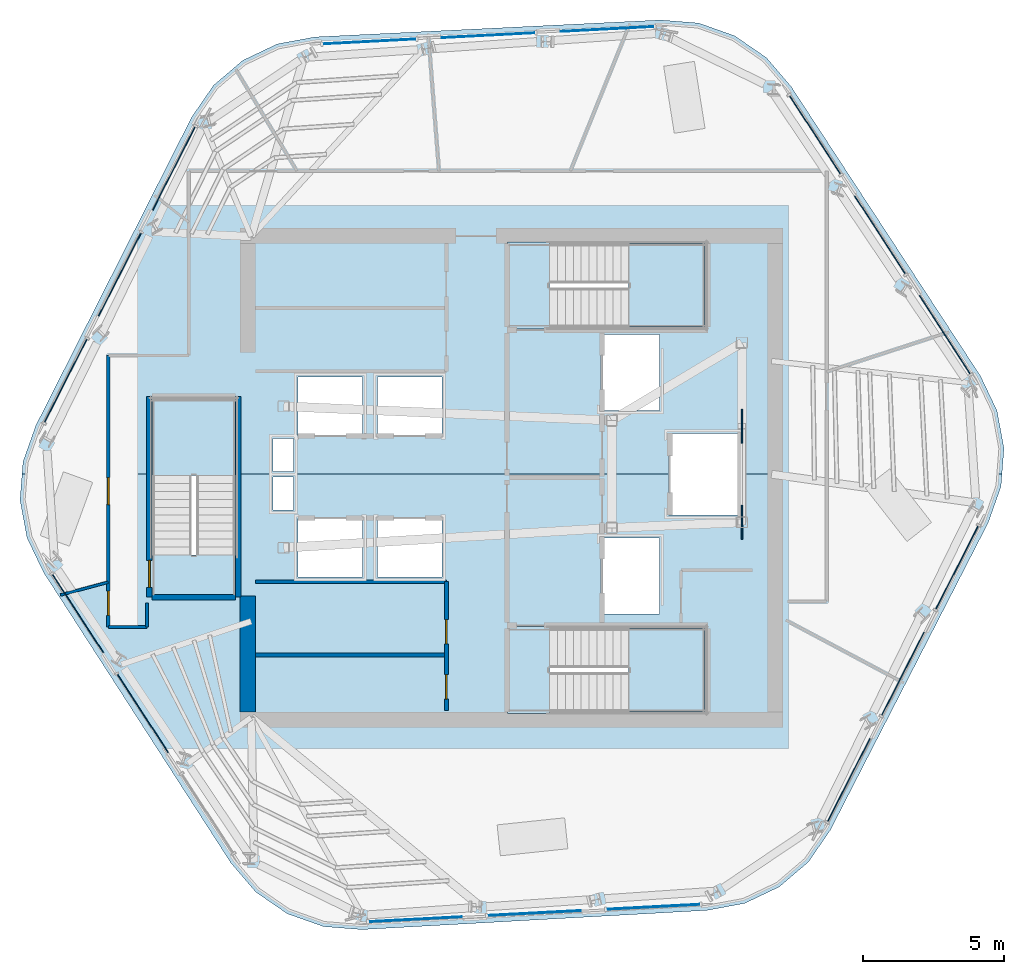
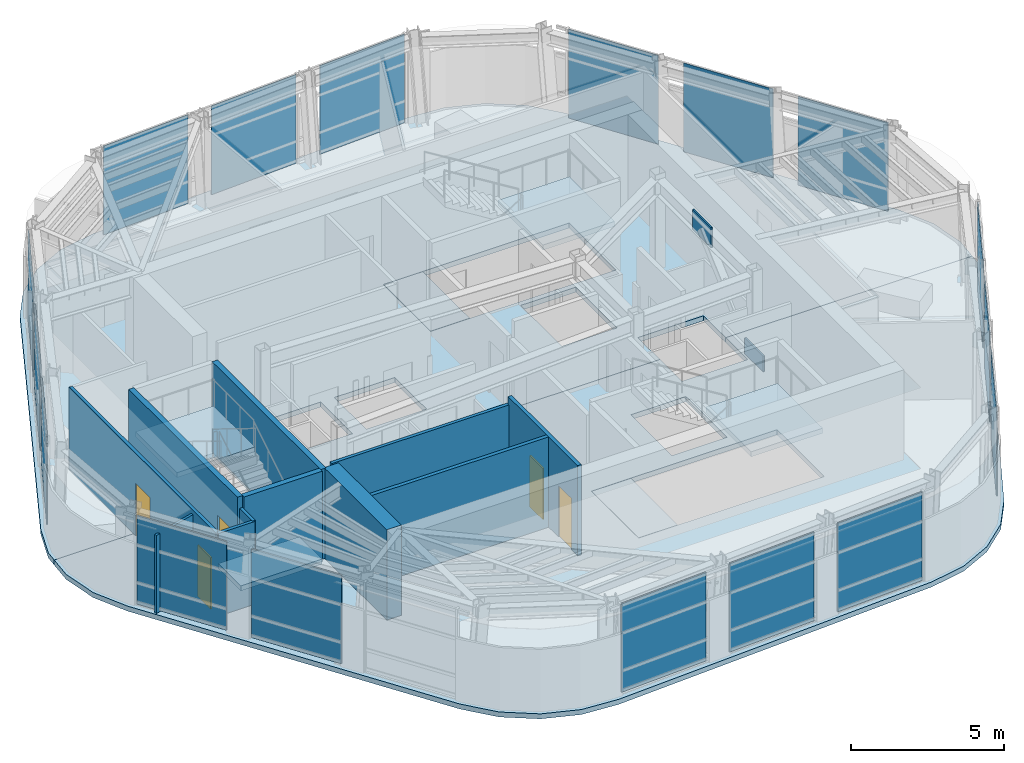
# One storey, part 6 of 13: 19 plates, 11 walls, 8 slabs, 5 doors, 5 openings, 9 elements without a shape of their own.
"""IFC4 building model written with IfcOpenShell, lengths in metres."""

from ifc_helpers import new_model, si_unit, direction, frame, frame_2d, origin, origin_2d, place, context, subcontext, project, spatial, polyline, rectangle, outline, extrude, material, layer, layer_set, type_object, element, fill, aggregate, save


model = new_model("IFC4")

# Units and contexts
model_context = context("Model", 3, precision=1e-05, world=origin(), true_north=direction((0.0, 1.0)))
body_context = subcontext(model_context, "Body", "Model", "MODEL_VIEW")
ifc_project = project(units=[si_unit("LENGTHUNIT", "METRE"), si_unit("AREAUNIT", "SQUARE_METRE"), si_unit("VOLUMEUNIT", "CUBIC_METRE"), si_unit("PLANEANGLEUNIT", "RADIAN"), si_unit("MASSUNIT", "GRAM", prefix="KILO")], contexts=[model_context])

# Site, building, storey
site_placement = place(None, origin())
site = spatial("IfcSite", under=ifc_project, at=site_placement, CompositionType="ELEMENT")
building_placement = place(site_placement, origin())
building = spatial("IfcBuilding", under=site, at=building_placement, Name="Valkerne Bourse Tower", CompositionType="ELEMENT")
storey_placement = place(building_placement, frame((0.0, 0.0, 296.39990234375)))
storey = spatial("IfcBuildingStorey", under=building, at=storey_placement, Name="L75", CompositionType="ELEMENT", Elevation=296.39990234375)

# Curtain wall, plates
ifc_material_1 = material(Name="Aluminium AA 6063-T6", Category="aluminium")
ifc_layer_1 = layer(ifc_material_1, 0.2451171875)
ifc_layer_set_1 = layer_set([ifc_layer_1], Name="Aluminium AA 6063-T6")
curtain_wall_type = type_object("IfcCurtainWallType", Name="CW-05", PredefinedType="NOTDEFINED", material=ifc_layer_set_1)
curtain_wall_1_placement = place(storey_placement, origin())
curtain_wall_1 = element("IfcCurtainWall", 1, at=curtain_wall_1_placement, inside=storey, type_object=curtain_wall_type, Name="L75 Hexagonal Stick Curtain Wall Face 1", PredefinedType="NOTDEFINED")
ifc_material_2 = material(Name="Glass IGU Low-E Double Glazed", Category="glass")
ifc_layer_2 = layer(ifc_material_2, 0.031982421875)
ifc_layer_set_2 = layer_set([ifc_layer_2], Name="Glass IGU Low-E Double Glazed")
plate_type_1 = type_object("IfcPlateType", Name="CW-PNL-IGU-32", PredefinedType="CURTAIN_PANEL", material=ifc_layer_set_2)
plate_1_placement = place(storey_placement, frame((50.193115234375, 42.73779296875, 0.030029296875), z_axis=(0.0, 0.0, 1.0), x_axis=(-0.998628760371, -0.052350730263, 0.0)))
plate_1 = element("IfcPlate", 2, at=plate_1_placement, type_object=plate_type_1, Name="CW-L75-F1 Curtain Panel 00", PredefinedType="CURTAIN_PANEL", context=body_context, shape_type="SweptSolid", body=[
    extrude(rectangle(XDim=3.2919921875, YDim=0.031982421875, at=origin_2d()), origin(), (0.0, 0.0, 1.0), 3.5400390625),
])
plate_2_placement = place(storey_placement, frame((45.98681640625, 42.517333984375, 0.030029296875), z_axis=(0.0, 0.0, 1.0), x_axis=(-0.998630066296, -0.05232581285, 0.0)))
plate_2 = element("IfcPlate", 3, at=plate_2_placement, type_object=plate_type_1, Name="CW-L75-F1 Curtain Panel 01", PredefinedType="CURTAIN_PANEL", context=body_context, shape_type="SweptSolid", body=[
    extrude(rectangle(XDim=3.2919921875, YDim=0.031982421875, at=origin_2d()), origin(), (0.0, 0.0, 1.0), 3.5400390625),
])
plate_3_placement = place(storey_placement, frame((41.780517578125, 42.297119140625, 0.030029296875), z_axis=(0.0, 0.0, 1.0), x_axis=(-0.99863000129, -0.052327053456, 0.0)))
plate_3 = element("IfcPlate", 4, at=plate_3_placement, type_object=plate_type_1, Name="CW-L75-F1 Curtain Panel 02", PredefinedType="CURTAIN_PANEL", context=body_context, shape_type="SweptSolid", body=[
    extrude(rectangle(XDim=3.2919921875, YDim=0.031982421875, at=origin_2d()), origin(), (0.0, 0.0, 1.0), 3.5400390625),
])
aggregate(curtain_wall_1, [plate_1, plate_2, plate_3])

curtain_wall_2_placement = place(storey_placement, origin())
curtain_wall_2 = element("IfcCurtainWall", 5, at=curtain_wall_2_placement, inside=storey, type_object=curtain_wall_type, Name="L75 Hexagonal Stick Curtain Wall Face 2", PredefinedType="NOTDEFINED")
plate_4_placement = place(storey_placement, frame((34.866943359375, 37.807373046875, 0.030029296875), z_axis=(0.0, 0.0, 1.0), x_axis=(-0.453981261925, -0.89101123103, 0.0)))
plate_4 = element("IfcPlate", 6, at=plate_4_placement, type_object=plate_type_1, Name="CW-L75-F2 Curtain Panel 00", PredefinedType="CURTAIN_PANEL", context=body_context, shape_type="SweptSolid", body=[
    extrude(rectangle(XDim=3.2919921875, YDim=0.031982421875, at=origin_2d()), origin(), (0.0, 0.0, 1.0), 3.5400390625),
])
plate_5_placement = place(storey_placement, frame((32.954833984375, 34.054443359375, 0.030029296875), z_axis=(0.0, 0.0, 1.0), x_axis=(-0.453990865515, -0.891006337817, 0.0)))
plate_5 = element("IfcPlate", 7, at=plate_5_placement, type_object=plate_type_1, Name="CW-L75-F2 Curtain Panel 01", PredefinedType="CURTAIN_PANEL", context=body_context, shape_type="SweptSolid", body=[
    extrude(rectangle(XDim=3.2919921875, YDim=0.031982421875, at=origin_2d()), origin(), (0.0, 0.0, 1.0), 3.5400390625),
])
plate_6_placement = place(storey_placement, frame((31.042724609375, 30.301513671875, 0.030029296875), z_axis=(0.0, 0.0, 1.0), x_axis=(-0.453990865515, -0.891006337817, 0.0)))
plate_6 = element("IfcPlate", 8, at=plate_6_placement, type_object=plate_type_1, Name="CW-L75-F2 Curtain Panel 02", PredefinedType="CURTAIN_PANEL", context=body_context, shape_type="SweptSolid", body=[
    extrude(rectangle(XDim=3.2919921875, YDim=0.031982421875, at=origin_2d()), origin(), (0.0, 0.0, 1.0), 3.5400390625),
])
aggregate(curtain_wall_2, [plate_4, plate_5, plate_6])

curtain_wall_3_placement = place(storey_placement, origin())
curtain_wall_3 = element("IfcCurtainWall", 9, at=curtain_wall_3_placement, inside=storey, type_object=curtain_wall_type, Name="L75 Hexagonal Stick Curtain Wall Face 3", PredefinedType="NOTDEFINED")
plate_7_placement = place(storey_placement, frame((31.47412109375, 22.069580078125, 0.030029296875), z_axis=(0.0, 0.0, 1.0), x_axis=(0.544633637344, -0.838674073209, 0.0)))
plate_7 = element("IfcPlate", 10, at=plate_7_placement, type_object=plate_type_1, Name="CW-L75-F3 Curtain Panel 00", PredefinedType="CURTAIN_PANEL", context=body_context, shape_type="SweptSolid", body=[
    extrude(rectangle(XDim=3.2919921875, YDim=0.031982421875, at=origin_2d()), origin(), (0.0, 0.0, 1.0), 3.5400390625),
])
plate_8_placement = place(storey_placement, frame((33.76806640625, 18.537109375, 0.030029296875), z_axis=(0.0, 0.0, 1.0), x_axis=(0.544650336291, -0.838663228703, 0.0)))
plate_8 = element("IfcPlate", 11, at=plate_8_placement, type_object=plate_type_1, Name="CW-L75-F3 Curtain Panel 01", PredefinedType="CURTAIN_PANEL", context=body_context, shape_type="SweptSolid", body=[
    extrude(rectangle(XDim=3.2919921875, YDim=0.031982421875, at=origin_2d()), origin(), (0.0, 0.0, 1.0), 3.5400390625),
])
aggregate(curtain_wall_3, [plate_7, plate_8])

curtain_wall_4_placement = place(storey_placement, origin())
curtain_wall_4 = element("IfcCurtainWall", 12, at=curtain_wall_4_placement, inside=storey, type_object=curtain_wall_type, Name="L75 Hexagonal Stick Curtain Wall Face 4", PredefinedType="NOTDEFINED")
plate_9_placement = place(storey_placement, frame((43.406982421875, 11.26220703125, 0.030029296875), z_axis=(0.0, 0.0, 1.0), x_axis=(0.998628760371, 0.052350730263, 0.0)))
plate_9 = element("IfcPlate", 13, at=plate_9_placement, type_object=plate_type_1, Name="CW-L75-F4 Curtain Panel 00", PredefinedType="CURTAIN_PANEL", context=body_context, shape_type="SweptSolid", body=[
    extrude(rectangle(XDim=3.2919921875, YDim=0.031982421875, at=origin_2d()), origin(), (0.0, 0.0, 1.0), 3.5400390625),
])
plate_10_placement = place(storey_placement, frame((47.61328125, 11.482421875, 0.030029296875), z_axis=(0.0, 0.0, 1.0), x_axis=(0.998630066296, 0.05232581285, 0.0)))
plate_10 = element("IfcPlate", 14, at=plate_10_placement, type_object=plate_type_1, Name="CW-L75-F4 Curtain Panel 01", PredefinedType="CURTAIN_PANEL", context=body_context, shape_type="SweptSolid", body=[
    extrude(rectangle(XDim=3.2919921875, YDim=0.031982421875, at=origin_2d()), origin(), (0.0, 0.0, 1.0), 3.5400390625),
])
plate_11_placement = place(storey_placement, frame((51.819580078125, 11.702880859375, 0.030029296875), z_axis=(0.0, 0.0, 1.0), x_axis=(0.99863000129, 0.052327053456, 0.0)))
plate_11 = element("IfcPlate", 15, at=plate_11_placement, type_object=plate_type_1, Name="CW-L75-F4 Curtain Panel 02", PredefinedType="CURTAIN_PANEL", context=body_context, shape_type="SweptSolid", body=[
    extrude(rectangle(XDim=3.2919921875, YDim=0.031982421875, at=origin_2d()), origin(), (0.0, 0.0, 1.0), 3.5400390625),
])
aggregate(curtain_wall_4, [plate_9, plate_10, plate_11])

curtain_wall_5_placement = place(storey_placement, origin())
curtain_wall_5 = element("IfcCurtainWall", 16, at=curtain_wall_5_placement, inside=storey, type_object=curtain_wall_type, Name="L75 Hexagonal Stick Curtain Wall Face 5", PredefinedType="NOTDEFINED")
plate_12_placement = place(storey_placement, frame((58.73291015625, 16.192626953125, 0.030029296875), z_axis=(0.0, 0.0, 1.0), x_axis=(0.453981261925, 0.89101123103, 0.0)))
plate_12 = element("IfcPlate", 17, at=plate_12_placement, type_object=plate_type_1, Name="CW-L75-F5 Curtain Panel 00", PredefinedType="CURTAIN_PANEL", context=body_context, shape_type="SweptSolid", body=[
    extrude(rectangle(XDim=3.2919921875, YDim=0.031982421875, at=origin_2d()), origin(), (0.0, 0.0, 1.0), 3.5400390625),
])
plate_13_placement = place(storey_placement, frame((60.645263671875, 19.945556640625, 0.030029296875), z_axis=(0.0, 0.0, 1.0), x_axis=(0.453990865515, 0.891006337817, 0.0)))
plate_13 = element("IfcPlate", 18, at=plate_13_placement, type_object=plate_type_1, Name="CW-L75-F5 Curtain Panel 01", PredefinedType="CURTAIN_PANEL", context=body_context, shape_type="SweptSolid", body=[
    extrude(rectangle(XDim=3.2919921875, YDim=0.031982421875, at=origin_2d()), origin(), (0.0, 0.0, 1.0), 3.5400390625),
])
plate_14_placement = place(storey_placement, frame((62.557373046875, 23.698486328125, 0.030029296875), z_axis=(0.0, 0.0, 1.0), x_axis=(0.453990865515, 0.891006337817, 0.0)))
plate_14 = element("IfcPlate", 19, at=plate_14_placement, type_object=plate_type_1, Name="CW-L75-F5 Curtain Panel 02", PredefinedType="CURTAIN_PANEL", context=body_context, shape_type="SweptSolid", body=[
    extrude(rectangle(XDim=3.2919921875, YDim=0.031982421875, at=origin_2d()), origin(), (0.0, 0.0, 1.0), 3.5400390625),
])
aggregate(curtain_wall_5, [plate_12, plate_13, plate_14])

curtain_wall_6_placement = place(storey_placement, origin())
curtain_wall_6 = element("IfcCurtainWall", 20, at=curtain_wall_6_placement, inside=storey, type_object=curtain_wall_type, Name="L75 Hexagonal Stick Curtain Wall Face 6", PredefinedType="NOTDEFINED")
plate_15_placement = place(storey_placement, frame((62.1259765625, 31.930419921875, 0.030029296875), z_axis=(0.0, 0.0, 1.0), x_axis=(-0.544633637344, 0.838674073209, 0.0)))
plate_15 = element("IfcPlate", 21, at=plate_15_placement, type_object=plate_type_1, Name="CW-L75-F6 Curtain Panel 00", PredefinedType="CURTAIN_PANEL", context=body_context, shape_type="SweptSolid", body=[
    extrude(rectangle(XDim=3.2919921875, YDim=0.031982421875, at=origin_2d()), origin(), (0.0, 0.0, 1.0), 3.5400390625),
])
plate_16_placement = place(storey_placement, frame((59.831787109375, 35.462890625, 0.030029296875), z_axis=(0.0, 0.0, 1.0), x_axis=(-0.544650336291, 0.838663228703, 0.0)))
plate_16 = element("IfcPlate", 22, at=plate_16_placement, type_object=plate_type_1, Name="CW-L75-F6 Curtain Panel 01", PredefinedType="CURTAIN_PANEL", context=body_context, shape_type="SweptSolid", body=[
    extrude(rectangle(XDim=3.2919921875, YDim=0.031982421875, at=origin_2d()), origin(), (0.0, 0.0, 1.0), 3.5400390625),
])
plate_17_placement = place(storey_placement, frame((57.537841796875, 38.99560546875, 0.030029296875), z_axis=(0.0, 0.0, 1.0), x_axis=(-0.544633637344, 0.838674073209, 0.0)))
plate_17 = element("IfcPlate", 23, at=plate_17_placement, type_object=plate_type_1, Name="CW-L75-F6 Curtain Panel 02", PredefinedType="CURTAIN_PANEL", context=body_context, shape_type="SweptSolid", body=[
    extrude(rectangle(XDim=3.2919921875, YDim=0.031982421875, at=origin_2d()), origin(), (0.0, 0.0, 1.0), 3.5400390625),
])
aggregate(curtain_wall_6, [plate_15, plate_16, plate_17])

# Plates
ifc_material_3 = material(Name="Steel ASTM A572 Grade 50", Category="steel")
ifc_layer_3 = layer(ifc_material_3, 0.06005859375)
ifc_layer_set_3 = layer_set([ifc_layer_3], Name="Steel ASTM A572 Grade 50")
plate_type_2 = type_object("IfcPlateType", Name="PLT-GUS-60", PredefinedType="SHEET", material=ifc_layer_set_3)
for number, where, z_axis, x_axis, name in (
    (24, (54.949951171875, 25.300048828125, -0.1796875), (0.0, 0.0, 1.0), (0.0, 1.0, 0.0), "L75 Brace Node Gusset Plate PLT-GUS-END-L75-466"),
    (25, (54.949951171875, 28.699951171875, 2.89404296875), (0.0, 0.0, 1.0), (0.0, 1.0, 0.0), "L75 Brace Node Gusset Plate PLT-GUS-END-L75-467"),
):
    element("IfcPlate", number, at=place(storey_placement, frame(where, z_axis=z_axis, x_axis=x_axis)), inside=storey, type_object=plate_type_2, Name=name, PredefinedType="SHEET", context=body_context, shape_type="SweptSolid", body=[
        extrude(rectangle(XDim=1.199951171875, YDim=0.06005859375, at=origin_2d()), origin(), (0.0, 0.0, 1.0), 0.800048828125),
    ])

# Slabs
ifc_material_4 = material(Name="Concrete C40/50", Category="concrete")
ifc_layer_4 = layer(ifc_material_4, 0.25)
ifc_layer_set_4 = layer_set([ifc_layer_4], Name="Concrete C40/50")
slab_type_1 = type_object("IfcSlabType", Name="SLB-RMP-LND-250", PredefinedType="LANDING", material=ifc_layer_set_4)
slab_1_placement = place(storey_placement, frame((0.0, 0.0, -0.199951171875)))
element("IfcSlab", 26, at=slab_1_placement, inside=storey, type_object=slab_type_1, Name="L75 ST-1 Floor Landing Slab", PredefinedType="LANDING", context=body_context, shape_type="SweptSolid", body=[
    extrude(outline(polyline([(46.669921875, 18.5400390625), (48.14990234375, 18.5400390625), (48.14990234375, 21.610107421875), (46.669921875, 21.610107421875), (46.669921875, 18.5400390625)])), origin(), (0.0, 0.0, 1.0), 0.199951171875),
])
slab_2_placement = place(storey_placement, frame((0.0, 0.0, -0.199951171875)))
element("IfcSlab", 27, at=slab_2_placement, inside=storey, type_object=slab_type_1, Name="L75 ST-2 Floor Landing Slab", PredefinedType="LANDING", context=body_context, shape_type="SweptSolid", body=[
    extrude(outline(polyline([(46.669921875, 32.139892578125), (48.14990234375, 32.139892578125), (48.14990234375, 35.2099609375), (46.669921875, 35.2099609375), (46.669921875, 32.139892578125)])), origin(), (0.0, 0.0, 1.0), 0.199951171875),
])
slab_3_placement = place(storey_placement, frame((0.0, 0.0, -0.199951171875)))
element("IfcSlab", 28, at=slab_3_placement, inside=storey, type_object=slab_type_1, Name="L75 ST-3 Floor Landing Slab", PredefinedType="LANDING", context=body_context, shape_type="SweptSolid", body=[
    extrude(outline(polyline([(37.110107421875, 22.669921875), (37.110107421875, 24.14990234375), (34.0400390625, 24.14990234375), (34.0400390625, 22.669921875), (37.110107421875, 22.669921875)])), origin(), (0.0, 0.0, 1.0), 0.199951171875),
])

# Stair, slab
stair_type = type_object("IfcStairType", Name="ST-CORE-1400", PredefinedType="HALF_TURN_STAIR", material=ifc_material_4)
stair_1_placement = place(storey_placement, origin())
stair_1 = element("IfcStair", 29, at=stair_1_placement, inside=storey, type_object=stair_type, Name="L75 ST-1", PredefinedType="HALF_TURN_STAIR")
ifc_layer_5 = layer(ifc_material_4, 0.179931640625)
ifc_layer_set_5 = layer_set([ifc_layer_5], Name="Concrete C40/50")
slab_type_2 = type_object("IfcSlabType", Name="SLB-ST-LND-180", PredefinedType="LANDING", material=ifc_layer_set_5)
slab_4_placement = place(storey_placement, frame((0.0, 0.0, 1.7001953125)))
slab_4 = element("IfcSlab", 30, at=slab_4_placement, type_object=slab_type_2, Name="ST-1 landing 1", PredefinedType="LANDING", context=body_context, shape_type="SweptSolid", body=[
    extrude(outline(polyline([(50.949951171875, 18.60009765625), (53.64990234375, 18.60009765625), (53.64990234375, 21.550048828125), (50.949951171875, 21.550048828125), (50.949951171875, 18.60009765625)])), origin(), (0.0, 0.0, 1.0), 0.199951171875),
])
aggregate(stair_1, [slab_4])

stair_2_placement = place(storey_placement, origin())
stair_2 = element("IfcStair", 31, at=stair_2_placement, inside=storey, type_object=stair_type, Name="L75 ST-2", PredefinedType="HALF_TURN_STAIR")
slab_5_placement = place(storey_placement, frame((0.0, 0.0, 1.7001953125)))
slab_5 = element("IfcSlab", 32, at=slab_5_placement, type_object=slab_type_2, Name="ST-2 landing 1", PredefinedType="LANDING", context=body_context, shape_type="SweptSolid", body=[
    extrude(outline(polyline([(50.949951171875, 32.199951171875), (53.64990234375, 32.199951171875), (53.64990234375, 35.14990234375), (50.949951171875, 35.14990234375), (50.949951171875, 32.199951171875)])), origin(), (0.0, 0.0, 1.0), 0.199951171875),
])
aggregate(stair_2, [slab_5])

stair_3_placement = place(storey_placement, origin())
stair_3 = element("IfcStair", 33, at=stair_3_placement, inside=storey, type_object=stair_type, Name="L75 ST-3", PredefinedType="HALF_TURN_STAIR")
slab_6_placement = place(storey_placement, frame((0.0, 0.0, 1.7001953125)))
slab_6 = element("IfcSlab", 34, at=slab_6_placement, type_object=slab_type_2, Name="ST-3 landing 1", PredefinedType="LANDING", context=body_context, shape_type="SweptSolid", body=[
    extrude(outline(polyline([(37.050048828125, 26.949951171875), (37.050048828125, 29.64990234375), (34.10009765625, 29.64990234375), (34.10009765625, 26.949951171875), (37.050048828125, 26.949951171875)])), origin(), (0.0, 0.0, 1.0), 0.199951171875),
])
aggregate(stair_3, [slab_6])

# Slabs
ifc_layer_6 = layer(ifc_material_4, 0.199951171875)
ifc_layer_set_6 = layer_set([ifc_layer_6], Name="Concrete C40/50")
slab_type_3 = type_object("IfcSlabType", Name="SLB-TOW-200", PredefinedType="FLOOR", material=ifc_layer_set_6)
slab_7_placement = place(storey_placement, frame((0.0, 0.0, -0.199951171875)))
element("IfcSlab", 35, at=slab_7_placement, inside=storey, type_object=slab_type_3, Name="L75 Hexagonal Composite Floor Slab S", PredefinedType="FLOOR", context=body_context, shape_type="SweptSolid", body=[
    extrude(outline(polyline([(64.11181640625, 26.5595703125), (63.65869140625, 25.280029296875), (58.075439453125, 14.4111328125), (57.306396484375, 13.29248046875), (56.2744140625, 12.410888671875), (55.049072265625, 11.826416015625), (53.71435546875, 11.5791015625), (41.514404296875, 10.899169921875), (40.160888671875, 11.005615234375), (38.88134765625, 11.458740234375), (37.7626953125, 12.227783203125), (36.881103515625, 13.260009765625), (30.260009765625, 23.529541015625), (29.67578125, 24.7548828125), (29.42822265625, 26.089599609375), (29.5, 27.0), (34.034912109375, 27.0), (34.034912109375, 22.6650390625), (37.114990234375, 22.6650390625), (37.114990234375, 27.0), (52.360107421875, 27.0), (52.360107421875, 25.56005859375), (54.840087890625, 25.56005859375), (54.840087890625, 27.0), (64.146484375, 27.0), (64.11181640625, 26.5595703125)]), holes=[polyline([(39.260009765625, 25.43994140625), (39.260009765625, 23.360107421875), (41.5400390625, 23.360107421875), (41.5400390625, 25.43994140625), (39.260009765625, 25.43994140625)]), polyline([(44.340087890625, 25.43994140625), (42.06005859375, 25.43994140625), (42.06005859375, 23.360107421875), (44.340087890625, 23.360107421875), (44.340087890625, 25.43994140625)]), polyline([(38.3798828125, 26.89990234375), (38.3798828125, 25.72998046875), (39.10009765625, 25.72998046875), (39.10009765625, 26.89990234375), (38.3798828125, 26.89990234375)]), polyline([(46.6650390625, 21.614990234375), (46.6650390625, 18.534912109375), (53.675048828125, 18.534912109375), (53.675048828125, 21.614990234375), (46.6650390625, 21.614990234375)]), polyline([(52.0400390625, 24.739990234375), (49.9599609375, 24.739990234375), (49.9599609375, 22.06005859375), (52.0400390625, 22.06005859375), (52.0400390625, 24.739990234375)])]), origin(), (0.0, 0.0, 1.0), 0.199951171875),
])
slab_8_placement = place(storey_placement, frame((0.0, 0.0, -0.199951171875)))
element("IfcSlab", 36, at=slab_8_placement, inside=storey, type_object=slab_type_3, Name="L75 Hexagonal Composite Floor Slab N", PredefinedType="FLOOR", context=body_context, shape_type="SweptSolid", body=[
    extrude(outline(polyline([(63.970947265625, 29.24755859375), (64.218505859375, 27.912841796875), (64.146484375, 27.0), (54.840087890625, 27.0), (54.840087890625, 28.43994140625), (52.360107421875, 28.43994140625), (52.360107421875, 27.0), (37.114990234375, 27.0), (37.114990234375, 29.675048828125), (34.034912109375, 29.675048828125), (34.034912109375, 27.0), (29.5, 27.0), (29.534912109375, 27.44287109375), (29.98779296875, 28.722412109375), (35.499267578125, 39.6279296875), (36.26806640625, 40.74658203125), (37.30029296875, 41.62841796875), (38.525390625, 42.212646484375), (39.860107421875, 42.460205078125), (52.064453125, 43.05908203125), (53.417724609375, 42.95263671875), (54.697509765625, 42.49951171875), (55.816162109375, 41.730712890625), (56.69775390625, 40.698486328125), (63.38671875, 30.472900390625), (63.970947265625, 29.24755859375)]), holes=[polyline([(39.10009765625, 28.27001953125), (38.3798828125, 28.27001953125), (38.3798828125, 27.10009765625), (39.10009765625, 27.10009765625), (39.10009765625, 28.27001953125)]), polyline([(41.5400390625, 30.43994140625), (39.260009765625, 30.43994140625), (39.260009765625, 28.360107421875), (41.5400390625, 28.360107421875), (41.5400390625, 30.43994140625)]), polyline([(42.06005859375, 30.43994140625), (42.06005859375, 28.360107421875), (44.340087890625, 28.360107421875), (44.340087890625, 30.43994140625), (42.06005859375, 30.43994140625)]), polyline([(52.0400390625, 31.93994140625), (49.9599609375, 31.93994140625), (49.9599609375, 29.260009765625), (52.0400390625, 29.260009765625), (52.0400390625, 31.93994140625)]), polyline([(53.675048828125, 35.215087890625), (46.6650390625, 35.215087890625), (46.6650390625, 32.135009765625), (53.675048828125, 32.135009765625), (53.675048828125, 35.215087890625)])]), origin(), (0.0, 0.0, 1.0), 0.199951171875),
])

# Walls
ifc_material_5 = material(Name="Concrete C55/67", Category="concrete")
ifc_layer_7 = layer(ifc_material_5, 0.550048828125)
ifc_layer_set_7 = layer_set([ifc_layer_7], Name="Concrete C55/67")
wall_type_1 = type_object("IfcWallType", Name="W-CORE-550", PredefinedType="SHEAR", material=ifc_layer_set_7)
wall_1_placement = place(storey_placement, frame((37.47509765625, 18.60009765625, 0.0), z_axis=(0.0, 0.0, 1.0), x_axis=(0.0, 1.0, 0.0)))
element("IfcWall", 37, at=wall_1_placement, inside=storey, type_object=wall_type_1, Name="L75 Core Shear Wall WEST-S", PredefinedType="SHEAR", context=body_context, shape_type="SweptSolid", body=[
    extrude(rectangle(XDim=4.099853515625, YDim=0.550048828125, at=frame_2d((2.0498046875, 0.0))), origin(), (0.0, 0.0, 1.0), 3.60009765625),
])
ifc_material_6 = material(Name="Gypsum Board Steel-Stud Partition", Category="steel")
ifc_layer_8 = layer(ifc_material_6, 0.117919921875)
ifc_layer_set_8 = layer_set([ifc_layer_8], Name="Gypsum Board Steel-Stud Partition")
wall_type_2 = type_object("IfcWallType", Name="W-CORR-140", PredefinedType="PARTITIONING", material=ifc_layer_set_8)
wall_2_placement = place(storey_placement, frame((37.75, 23.199951171875, 0.0), z_axis=(0.0, 0.0, 1.0), x_axis=(1.0, 0.0, 0.0)))
element("IfcWall", 38, at=wall_2_placement, inside=storey, type_object=wall_type_2, Name="L75 LV7 Low-Bank North Wall", PredefinedType="PARTITIONING", context=body_context, shape_type="SweptSolid", body=[
    extrude(rectangle(XDim=6.75, YDim=0.117919921875, at=frame_2d((3.375, 0.0))), origin(), (0.0, 0.0, 1.0), 3.300048828125),
])
wall_3_placement = place(storey_placement, frame((33.91796875, 22.43994140625, 0.0), z_axis=(0.0, 0.0, 1.0), x_axis=(0.002325575107, -0.999997295847, 0.0)))
element("IfcWall", 39, at=wall_3_placement, inside=storey, type_object=wall_type_2, Name="L75 Corridor Enclosure Wall", PredefinedType="PARTITIONING", context=body_context, shape_type="SweptSolid", body=[
    extrude(rectangle(XDim=0.83984375, YDim=0.117919921875, at=frame_2d((0.419921875, 0.0))), origin(), (0.0, 0.0, 1.0), 3.300048828125),
])
wall_4_placement = place(storey_placement, frame((33.919921875, 21.60009765625, 0.0), z_axis=(0.0, 0.0, 1.0), x_axis=(-1.0, 0.0, 0.0)))
element("IfcWall", 40, at=wall_4_placement, inside=storey, type_object=wall_type_2, Name="L75 Corridor Enclosure Wall", PredefinedType="PARTITIONING", context=body_context, shape_type="SweptSolid", body=[
    extrude(rectangle(XDim=1.369873046875, YDim=0.117919921875, at=frame_2d((0.68505859375, 0.0))), origin(), (0.0, 0.0, 1.0), 3.300048828125),
])

# Wall, openings, doors
wall_5_placement = place(storey_placement, frame((32.550048828125, 21.60009765625, 0.0), z_axis=(0.0, 0.0, 1.0), x_axis=(0.0, 1.0, 0.0)))
wall_5 = element("IfcWall", 41, at=wall_5_placement, inside=storey, type_object=wall_type_2, Name="L75 Corridor Enclosure Wall", PredefinedType="PARTITIONING", context=body_context, shape_type="SweptSolid", body=[
    extrude(rectangle(XDim=9.599853515625, YDim=0.117919921875, at=frame_2d((4.7998046875, 0.0))), origin(), (0.0, 0.0, 1.0), 3.300048828125),
])
opening_1_placement = place(wall_5_placement, frame((4.324951171875, 0.0, 0.0)))
opening_1 = element("IfcOpeningElement", 42, at=opening_1_placement, cuts=wall_5, Name="Opening D-OF-950", PredefinedType="OPENING", context=body_context, shape_type="SweptSolid", body=[
    extrude(rectangle(XDim=0.949951171875, YDim=2.10009765625, at=frame_2d((0.47509765625, 1.050048828125))), frame((0.0, 0.06884765625, 0.0), z_axis=(0.0, -1.0, 0.0), x_axis=(1.0, 0.0, 0.0)), (0.0, 0.0, 1.0), 0.137939453125),
])
opening_2_placement = place(wall_5_placement, frame((0.409912109375, 0.0, 0.0)))
opening_2 = element("IfcOpeningElement", 43, at=opening_2_placement, cuts=wall_5, Name="Opening D-WC-900", PredefinedType="OPENING", context=body_context, shape_type="SweptSolid", body=[
    extrude(rectangle(XDim=0.860107421875, YDim=2.050048828125, at=frame_2d((0.43017578125, 1.02490234375))), frame((0.0, 0.06884765625, 0.0), z_axis=(0.0, -1.0, 0.0), x_axis=(1.0, 0.0, 0.0)), (0.0, 0.0, 1.0), 0.137939453125),
])
ifc_material_7 = material(Name="Architectural White Oak Timber", Category="wood")
door_type_1 = type_object("IfcDoorType", Name="DR-OFF-950", OperationType="NOTDEFINED", PredefinedType="DOOR", material=ifc_material_7)
door_1_placement = place(opening_1_placement, origin())
door_1 = element("IfcDoor", 44, at=door_1_placement, inside=storey, type_object=door_type_1, Name="L75 L75 Member Collaboration Club Salon 3 Door", OperationType="SINGLE_SWING_LEFT", OverallHeight=2.10009765625, OverallWidth=0.949951171875, PredefinedType="DOOR", context=body_context, shape_type="SweptSolid", body=[
    extrude(rectangle(XDim=0.949951171875, YDim=2.10009765625, at=frame_2d((0.47509765625, 1.050048828125))), frame((0.0, 0.02490234375, 0.0), z_axis=(0.0, -1.0, 0.0), x_axis=(1.0, 0.0, 0.0)), (0.0, 0.0, 1.0), 0.050048828125),
])
fill(opening_1, door_1)
door_type_2 = type_object("IfcDoorType", Name="DR-WC-900", OperationType="NOTDEFINED", PredefinedType="DOOR", material=ifc_material_7)
door_2_placement = place(opening_2_placement, origin())
door_2 = element("IfcDoor", 45, at=door_2_placement, inside=storey, type_object=door_type_2, Name="L75 L75 Executive Economics Study Room 7 Door", OperationType="SINGLE_SWING_RIGHT", OverallHeight=2.050048828125, OverallWidth=0.860107421875, PredefinedType="DOOR", context=body_context, shape_type="SweptSolid", body=[
    extrude(rectangle(XDim=0.860107421875, YDim=2.050048828125, at=frame_2d((0.43017578125, 1.02490234375))), frame((0.0, 0.02490234375, 0.0), z_axis=(0.0, -1.0, 0.0), x_axis=(1.0, 0.0, 0.0)), (0.0, 0.0, 1.0), 0.050048828125),
])
fill(opening_2, door_2)

# Wall
ifc_layer_9 = layer(ifc_material_6, 0.092041015625)
ifc_layer_set_9 = layer_set([ifc_layer_9], Name="Gypsum Board Steel-Stud Partition")
wall_type_3 = type_object("IfcWallType", Name="W-PART-115", PredefinedType="PARTITIONING", material=ifc_layer_set_9)
wall_6_placement = place(storey_placement, frame((32.544921875, 23.180419921875, 0.0), z_axis=(0.0, 0.0, 1.0), x_axis=(-0.965913696223, -0.258864310881, 0.0)))
element("IfcWall", 46, at=wall_6_placement, inside=storey, type_object=wall_type_3, Name="L75 Suite Partition P07", PredefinedType="PARTITIONING", context=body_context, shape_type="SweptSolid", body=[
    extrude(rectangle(XDim=1.744873046875, YDim=0.092041015625, at=frame_2d((0.87255859375, 0.0))), origin(), (0.0, 0.0, 1.0), 3.114990234375),
])

# Wall, opening, door
ifc_layer_10 = layer(ifc_material_4, 0.199951171875)
ifc_layer_set_10 = layer_set([ifc_layer_10], Name="Concrete C40/50")
wall_type_4 = type_object("IfcWallType", Name="W-SHF-200", PredefinedType="SHEAR", material=ifc_layer_set_10)
wall_7_placement = place(storey_placement, frame((34.0, 22.64990234375, 0.0), z_axis=(0.0, 0.0, 1.0), x_axis=(0.0, 1.0, 0.0)))
wall_7 = element("IfcWall", 47, at=wall_7_placement, inside=storey, type_object=wall_type_4, Name="L75 Exit Stair ST-3 Structural Shaft Wall West", PredefinedType="SHEAR", context=body_context, shape_type="SweptSolid", body=[
    extrude(rectangle(XDim=7.10009765625, YDim=0.199951171875, at=frame_2d((3.550048828125, 0.0))), origin(), (0.0, 0.0, 1.0), 3.60009765625),
])
opening_3_placement = place(wall_7_placement, frame((0.35009765625, 0.0, 0.0)))
opening_3 = element("IfcOpeningElement", 48, at=opening_3_placement, cuts=wall_7, Name="Opening D-ST-950", PredefinedType="OPENING", context=body_context, shape_type="SweptSolid", body=[
    extrude(rectangle(XDim=0.949951171875, YDim=2.10009765625, at=frame_2d((0.47509765625, 1.050048828125))), frame((0.0, 0.10986328125, 0.0), z_axis=(0.0, -1.0, 0.0), x_axis=(1.0, 0.0, 0.0)), (0.0, 0.0, 1.0), 0.219970703125),
])
ifc_material_8 = material(Name="Galvanised Painted Steel", Category="steel")
door_type_3 = type_object("IfcDoorType", Name="DR-STAIR-950", OperationType="NOTDEFINED", PredefinedType="DOOR", material=ifc_material_8)
door_3_placement = place(opening_3_placement, origin())
door_3 = element("IfcDoor", 49, at=door_3_placement, inside=storey, type_object=door_type_3, Name="L75 Exit Stair ST-3 Door", OperationType="SINGLE_SWING_RIGHT", OverallHeight=2.10009765625, OverallWidth=0.949951171875, PredefinedType="DOOR", context=body_context, shape_type="SweptSolid", body=[
    extrude(rectangle(XDim=0.949951171875, YDim=2.10009765625, at=frame_2d((0.47509765625, 1.050048828125))), frame((0.0, 0.02490234375, 0.0), z_axis=(0.0, -1.0, 0.0), x_axis=(1.0, 0.0, 0.0)), (0.0, 0.0, 1.0), 0.050048828125),
])
fill(opening_3, door_3)

# Walls
wall_8_placement = place(storey_placement, frame((34.10009765625, 22.64990234375, 0.0), z_axis=(0.0, 0.0, 1.0), x_axis=(1.0, 0.0, 0.0)))
element("IfcWall", 50, at=wall_8_placement, inside=storey, type_object=wall_type_4, Name="L75 Exit Stair ST-3 Structural Shaft Wall South", PredefinedType="SHEAR", context=body_context, shape_type="SweptSolid", body=[
    extrude(rectangle(XDim=2.949951171875, YDim=0.199951171875, at=frame_2d((1.47509765625, 0.0))), origin(), (0.0, 0.0, 1.0), 3.60009765625),
])
wall_9_placement = place(storey_placement, frame((37.14990234375, 22.64990234375, 0.0), z_axis=(0.0, 0.0, 1.0), x_axis=(0.0, 1.0, 0.0)))
element("IfcWall", 51, at=wall_9_placement, inside=storey, type_object=wall_type_4, Name="L75 Exit Stair ST-3 Structural Shaft Wall East", PredefinedType="SHEAR", context=body_context, shape_type="SweptSolid", body=[
    extrude(rectangle(XDim=7.10009765625, YDim=0.199951171875, at=frame_2d((3.550048828125, 0.0))), origin(), (0.0, 0.0, 1.0), 3.60009765625),
])

# Wall, openings, doors
ifc_material_9 = material(Name="Moisture-Resistant Gypsum Partition", Category="gypsum")
ifc_layer_11 = layer(ifc_material_9, 0.139892578125)
ifc_layer_set_11 = layer_set([ifc_layer_11], Name="Moisture-Resistant Gypsum Partition")
wall_type_5 = type_object("IfcWallType", Name="W-WET-140", PredefinedType="PARTITIONING", material=ifc_layer_set_11)
wall_10_placement = place(storey_placement, frame((44.5, 18.64990234375, 0.0), z_axis=(0.0, 0.0, 1.0), x_axis=(0.0, 1.0, 0.0)))
wall_10 = element("IfcWall", 52, at=wall_10_placement, inside=storey, type_object=wall_type_5, Name="L75 LV7 Low-Bank East Wall", PredefinedType="PARTITIONING", context=body_context, shape_type="SweptSolid", body=[
    extrude(rectangle(XDim=4.550048828125, YDim=0.139892578125, at=frame_2d((2.27490234375, 0.0))), origin(), (0.0, 0.0, 1.0), 3.60009765625),
])
opening_4_placement = place(wall_10_placement, frame((0.39990234375, 0.0, 0.0)))
opening_4 = element("IfcOpeningElement", 53, at=opening_4_placement, cuts=wall_10, Name="Opening D-WC-900", PredefinedType="OPENING", context=body_context, shape_type="SweptSolid", body=[
    extrude(rectangle(XDim=0.860107421875, YDim=2.050048828125, at=frame_2d((0.43017578125, 1.02490234375))), frame((0.0, 0.079833984375, 0.0), z_axis=(0.0, -1.0, 0.0), x_axis=(1.0, 0.0, 0.0)), (0.0, 0.0, 1.0), 0.159912109375),
])
opening_5_placement = place(wall_10_placement, frame((2.35009765625, 0.0, 0.0)))
opening_5 = element("IfcOpeningElement", 54, at=opening_5_placement, cuts=wall_10, Name="Opening D-WC-900", PredefinedType="OPENING", context=body_context, shape_type="SweptSolid", body=[
    extrude(rectangle(XDim=0.860107421875, YDim=2.050048828125, at=frame_2d((0.43017578125, 1.02490234375))), frame((0.0, 0.079833984375, 0.0), z_axis=(0.0, -1.0, 0.0), x_axis=(1.0, 0.0, 0.0)), (0.0, 0.0, 1.0), 0.159912109375),
])
door_4_placement = place(opening_4_placement, origin())
door_4 = element("IfcDoor", 55, at=door_4_placement, inside=storey, type_object=door_type_2, Name="L75 Beverage Kitchen Door", OperationType="SINGLE_SWING_RIGHT", OverallHeight=2.050048828125, OverallWidth=0.860107421875, PredefinedType="DOOR", context=body_context, shape_type="SweptSolid", body=[
    extrude(rectangle(XDim=0.860107421875, YDim=2.050048828125, at=frame_2d((0.43017578125, 1.02490234375))), frame((0.0, 0.02490234375, 0.0), z_axis=(0.0, -1.0, 0.0), x_axis=(1.0, 0.0, 0.0)), (0.0, 0.0, 1.0), 0.050048828125),
])
fill(opening_4, door_4)
door_5_placement = place(opening_5_placement, origin())
door_5 = element("IfcDoor", 56, at=door_5_placement, inside=storey, type_object=door_type_2, Name="L75 Compliance Briefing Office Door", OperationType="SINGLE_SWING_LEFT", OverallHeight=2.050048828125, OverallWidth=0.860107421875, PredefinedType="DOOR", context=body_context, shape_type="SweptSolid", body=[
    extrude(rectangle(XDim=0.860107421875, YDim=2.050048828125, at=frame_2d((0.43017578125, 1.02490234375))), frame((0.0, 0.02490234375, 0.0), z_axis=(0.0, -1.0, 0.0), x_axis=(1.0, 0.0, 0.0)), (0.0, 0.0, 1.0), 0.050048828125),
])
fill(opening_5, door_5)

# Wall
wall_11_placement = place(storey_placement, frame((37.75, 20.610107421875, 0.0), z_axis=(0.0, 0.0, 1.0), x_axis=(1.0, 0.0, 0.0)))
element("IfcWall", 57, at=wall_11_placement, inside=storey, type_object=wall_type_5, Name="L75 LV7 Low-Bank Sub-Divider", PredefinedType="PARTITIONING", context=body_context, shape_type="SweptSolid", body=[
    extrude(rectangle(XDim=6.75, YDim=0.139892578125, at=frame_2d((3.375, 0.0))), origin(), (0.0, 0.0, 1.0), 3.60009765625),
])

save(model, "model.ifc")
